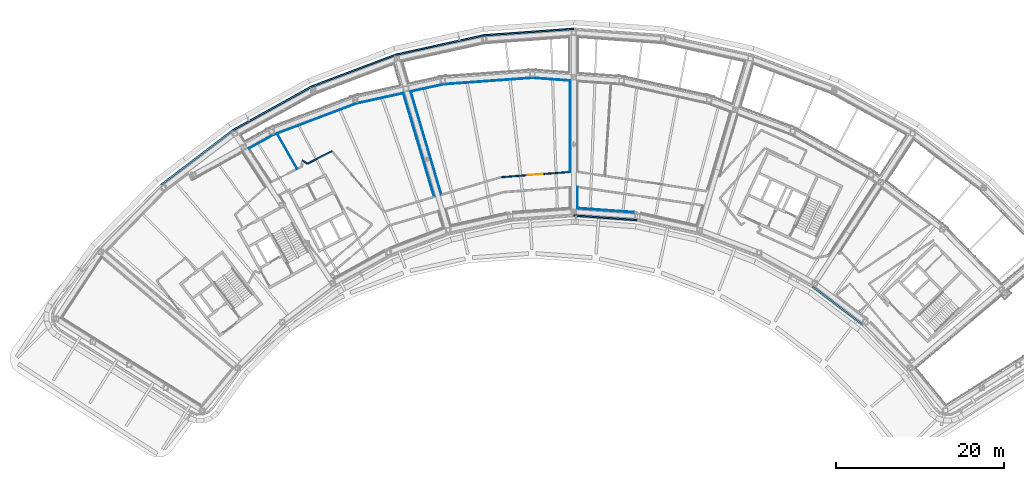
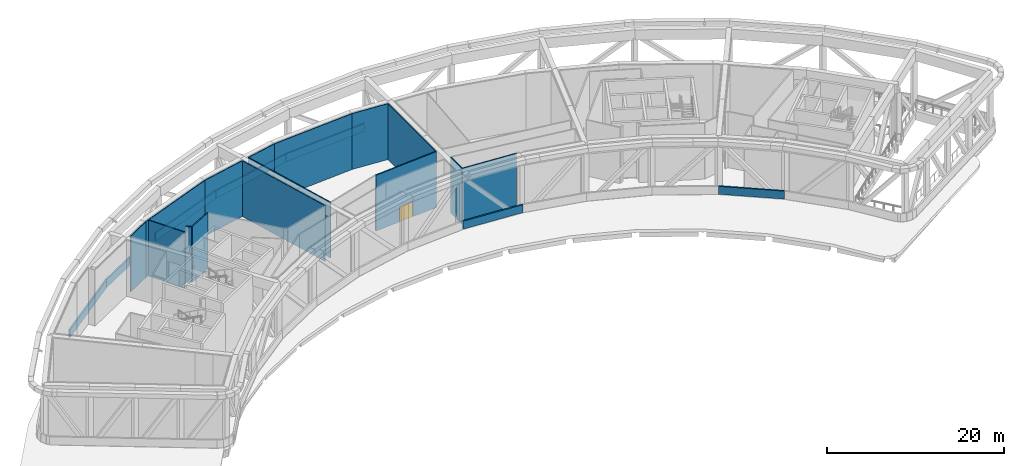
# One storey, part 9 of 27: 22 walls, 1 door, 1 opening.
"""IFC4 building model written with IfcOpenShell, lengths in metres."""

from ifc_helpers import new_model, si_unit, direction, frame, frame_2d, origin, place, context, subcontext, project, spatial, rectangle, extrude, material, layer, layer_set, type_object, element, fill, save


model = new_model("IFC4")

# Units and contexts
model_context = context("Model", 3, precision=1e-05, world=origin(), true_north=direction((0.0, 1.0)))
body_context = subcontext(model_context, "Body", "Model", "MODEL_VIEW")
ifc_project = project(units=[si_unit("LENGTHUNIT", "METRE"), si_unit("AREAUNIT", "SQUARE_METRE"), si_unit("VOLUMEUNIT", "CUBIC_METRE"), si_unit("PLANEANGLEUNIT", "RADIAN"), si_unit("MASSUNIT", "GRAM", prefix="KILO")], contexts=[model_context])

# Site, building, storey
site_placement = place(None, origin())
site = spatial("IfcSite", under=ifc_project, at=site_placement, CompositionType="ELEMENT")
building_placement = place(site_placement, origin())
building = spatial("IfcBuilding", under=site, at=building_placement, Name="Tuul Gate Civic Tower", CompositionType="ELEMENT")
storey_placement = place(building_placement, frame((0.0, 0.0, 201.5)))
storey = spatial("IfcBuildingStorey", under=building, at=storey_placement, Name="Wind floor 1", CompositionType="ELEMENT", Elevation=201.5)

# Wall, opening, door
ifc_material_1 = material(Name="Gypsum board partition")
ifc_layer_1 = layer(ifc_material_1, 0.14990234375)
ifc_layer_set_1 = layer_set([ifc_layer_1], Name="Gypsum board partition")
wall_type_1 = type_object("IfcWallType", Name="Corridor wall P150", PredefinedType="PARTITIONING", material=ifc_layer_set_1)
wall_1_placement = place(storey_placement, frame((-2.770263671875, 1.32568359375, 0.0), z_axis=(0.0, 0.0, 1.0), x_axis=(0.997138650335, 0.075594391385, 0.0)))
wall_1 = element("IfcWall", 1, at=wall_1_placement, inside=storey, type_object=wall_type_1, Name="p032", PredefinedType="PARTITIONING", context=body_context, shape_type="SweptSolid", body=[
    extrude(rectangle(XDim=8.283935546875, YDim=0.14990234375, at=frame_2d((4.14208984375, 0.0))), origin(), (0.0, 0.0, 1.0), 7.699951171875),
])
opening_placement = place(wall_1_placement, frame((3.241943359375, 0.0, 0.0)))
opening = element("IfcOpeningElement", 2, at=opening_placement, cuts=wall_1, Name="Opening AF-D11", PredefinedType="OPENING", context=body_context, shape_type="SweptSolid", body=[
    extrude(rectangle(XDim=1.800048828125, YDim=2.10009765625, at=frame_2d((0.89990234375, 1.050048828125))), frame((0.0, 0.0849609375, 0.0), z_axis=(0.0, -1.0, 0.0), x_axis=(1.0, 0.0, 0.0)), (0.0, 0.0, 1.0), 0.169921875),
])
ifc_material_2 = material(Name="Timber door leaf, double", Category="wood")
door_type = type_object("IfcDoorType", Name="Door D18", OperationType="DOUBLE_DOOR_SINGLE_SWING", PredefinedType="DOOR", material=ifc_material_2)
door_placement = place(opening_placement, origin())
door = element("IfcDoor", 3, at=door_placement, inside=storey, type_object=door_type, Name="Door AF-D11", OperationType="DOUBLE_DOOR_SINGLE_SWING", OverallHeight=2.10009765625, OverallWidth=1.800048828125, PredefinedType="DOOR", context=body_context, shape_type="SweptSolid", body=[
    extrude(rectangle(XDim=1.800048828125, YDim=2.10009765625, at=frame_2d((0.89990234375, 1.050048828125))), frame((0.0, 0.02490234375, 0.0), z_axis=(0.0, -1.0, 0.0), x_axis=(1.0, 0.0, 0.0)), (0.0, 0.0, 1.0), 0.050048828125),
])
fill(opening, door)

# Walls
wall_2_placement = place(storey_placement, frame((-25.823486328125, 2.936279296875, 0.0), z_axis=(0.0, 0.0, 1.0), x_axis=(0.89098130689, 0.454039988076, 0.0)))
element("IfcWall", 4, at=wall_2_placement, inside=storey, type_object=wall_type_1, Name="p038", PredefinedType="PARTITIONING", context=body_context, shape_type="SweptSolid", body=[
    extrude(rectangle(XDim=3.29833984375, YDim=0.14990234375, at=frame_2d((1.649169921875, 0.0))), origin(), (0.0, 0.0, 1.0), 7.699951171875),
])
wall_3_placement = place(storey_placement, frame((-26.414306640625, 3.3203125, 0.0), z_axis=(0.0, 0.0, 1.0), x_axis=(0.850242467649, -0.526391248223, 0.0)))
element("IfcWall", 5, at=wall_3_placement, inside=storey, type_object=wall_type_1, Name="p039", PredefinedType="PARTITIONING", context=body_context, shape_type="SweptSolid", body=[
    extrude(rectangle(XDim=0.688232421875, YDim=0.14990234375, at=frame_2d((0.34423828125, 0.0))), origin(), (0.0, 0.0, 1.0), 7.699951171875),
])
ifc_material_3 = material(Name="Concrete C40/50", Category="concrete")
ifc_layer_2 = layer(ifc_material_3, 0.199951171875)
ifc_layer_set_2 = layer_set([ifc_layer_2], Name="Concrete C40/50")
wall_type_2 = type_object("IfcWallType", Name="Crown parapet", PredefinedType="PARAPET", material=ifc_layer_set_2)
for number, where, z_axis, x_axis, name in (
    (6, (5.93994140625, 19.0166015625, 0.0), (0.0, 0.0, 1.0), (-0.997385033407, -0.072270984055, 0.0), "Parapet"),
    (7, (-4.7744140625, 18.240234375, 0.0), (0.0, 0.0, 1.0), (-0.97657956222, -0.215156591006, 0.0), "Parapet"),
):
    element("IfcWall", number, at=place(storey_placement, frame(where, z_axis=z_axis, x_axis=x_axis)), inside=storey, type_object=wall_type_2, Name=name, PredefinedType="PARAPET", context=body_context, shape_type="SweptSolid", body=[
        extrude(rectangle(XDim=10.742431640625, YDim=0.199951171875, at=frame_2d((5.37109375, 0.0))), origin(), (0.0, 0.0, 1.0), 1.10009765625),
    ])
wall_4_placement = place(storey_placement, frame((-15.26513671875, 15.928955078125, 0.0), z_axis=(0.0, 0.0, 1.0), x_axis=(-0.935342522799, -0.353743360424, 0.0)))
element("IfcWall", 8, at=wall_4_placement, inside=storey, type_object=wall_type_2, Name="Parapet", PredefinedType="PARAPET", context=body_context, shape_type="SweptSolid", body=[
    extrude(rectangle(XDim=10.78857421875, YDim=0.199951171875, at=frame_2d((5.394287109375, 0.0))), origin(), (0.0, 0.0, 1.0), 1.10009765625),
])
wall_5_placement = place(storey_placement, frame((-25.313720703125, 12.128662109375, 0.0), z_axis=(0.0, 0.0, 1.0), x_axis=(-0.874611402149, -0.484824602543, 0.0)))
element("IfcWall", 9, at=wall_5_placement, inside=storey, type_object=wall_type_2, Name="Parapet", PredefinedType="PARAPET", context=body_context, shape_type="SweptSolid", body=[
    extrude(rectangle(XDim=10.7431640625, YDim=0.199951171875, at=frame_2d((5.37158203125, 0.0))), origin(), (0.0, 0.0, 1.0), 1.10009765625),
])
wall_6_placement = place(storey_placement, frame((-34.709716796875, 6.920166015625, 0.0), z_axis=(0.0, 0.0, 1.0), x_axis=(-0.795659138883, -0.605744611789, 0.0)))
element("IfcWall", 10, at=wall_6_placement, inside=storey, type_object=wall_type_2, Name="Parapet", PredefinedType="PARAPET", context=body_context, shape_type="SweptSolid", body=[
    extrude(rectangle(XDim=10.741943359375, YDim=0.199951171875, at=frame_2d((5.37109375, 0.0))), origin(), (0.0, 0.0, 1.0), 1.10009765625),
])
wall_7_placement = place(storey_placement, frame((5.93994140625, -3.24169921875, 0.0), z_axis=(0.0, 0.0, 1.0), x_axis=(0.997389741287, -0.072205982962, 0.0)))
element("IfcWall", 11, at=wall_7_placement, inside=storey, type_object=wall_type_2, Name="Parapet", PredefinedType="PARAPET", context=body_context, shape_type="SweptSolid", body=[
    extrude(rectangle(XDim=7.5263671875, YDim=0.199951171875, at=frame_2d((3.76318359375, 0.0))), origin(), (0.0, 0.0, 1.0), 1.10009765625),
])
wall_8_placement = place(storey_placement, frame((34.419189453125, -11.716064453125, 0.0), z_axis=(0.0, 0.0, 1.0), x_axis=(0.795588056062, -0.605837969305, 0.0)))
element("IfcWall", 12, at=wall_8_placement, inside=storey, type_object=wall_type_2, Name="Parapet", PredefinedType="PARAPET", context=body_context, shape_type="SweptSolid", body=[
    extrude(rectangle(XDim=7.52685546875, YDim=0.199951171875, at=frame_2d((3.763427734375, 0.0))), origin(), (0.0, 0.0, 1.0), 1.10009765625),
])
ifc_material_4 = material(Name="Gypsum board partition")
ifc_layer_3 = layer(ifc_material_4, 0.10009765625)
ifc_layer_set_3 = layer_set([ifc_layer_3], Name="Gypsum board partition")
wall_type_3 = type_object("IfcWallType", Name="Partition P100", PredefinedType="PARTITIONING", material=ifc_layer_set_3)
wall_9_placement = place(storey_placement, frame((-29.421142578125, 6.53564453125, 0.0), z_axis=(0.0, 0.0, 1.0), x_axis=(0.496220323798, -0.868196631098, 0.0)))
element("IfcWall", 13, at=wall_9_placement, inside=storey, type_object=wall_type_3, Name="p035", PredefinedType="PARTITIONING", context=body_context, shape_type="SweptSolid", body=[
    extrude(rectangle(XDim=4.845703125, YDim=0.10009765625, at=frame_2d((2.4228515625, 0.0))), origin(), (0.0, 0.0, 1.0), 7.699951171875),
])
wall_10_placement = place(storey_placement, frame((13.15625, -2.862060546875, 0.0), z_axis=(0.0, 0.0, 1.0), x_axis=(-0.997380470642, 0.072333925527, 0.0)))
element("IfcWall", 14, at=wall_10_placement, inside=storey, type_object=wall_type_3, Name="p073", PredefinedType="PARTITIONING", context=body_context, shape_type="SweptSolid", body=[
    extrude(rectangle(XDim=6.7841796875, YDim=0.10009765625, at=frame_2d((3.39208984375, 0.0))), origin(), (0.0, 0.0, 1.0), 7.699951171875),
])
wall_11_placement = place(storey_placement, frame((6.389892578125, -2.371337890625, 0.0), z_axis=(0.0, 0.0, 1.0), x_axis=(0.0, 1.0, 0.0)))
element("IfcWall", 15, at=wall_11_placement, inside=storey, type_object=wall_type_3, Name="p074", PredefinedType="PARTITIONING", context=body_context, shape_type="SweptSolid", body=[
    extrude(rectangle(XDim=2.541015625, YDim=0.10009765625, at=frame_2d((1.2705078125, 0.0))), origin(), (0.0, 0.0, 1.0), 7.699951171875),
])
wall_12_placement = place(storey_placement, frame((-9.829833984375, -0.7607421875, 0.0), z_axis=(0.0, 0.0, 1.0), x_axis=(-0.28521780908, 0.958462728218, 0.0)))
element("IfcWall", 16, at=wall_12_placement, inside=storey, type_object=wall_type_3, Name="p080", PredefinedType="PARTITIONING", context=body_context, shape_type="SweptSolid", body=[
    extrude(rectangle(XDim=12.832763671875, YDim=0.10009765625, at=frame_2d((6.41650390625, 0.0))), origin(), (0.0, 0.0, 1.0), 7.699951171875),
])
wall_13_placement = place(storey_placement, frame((-13.489990234375, 11.5390625, 0.0), z_axis=(0.0, 0.0, 1.0), x_axis=(0.97656579112, 0.215219087475, 0.0)))
element("IfcWall", 17, at=wall_13_placement, inside=storey, type_object=wall_type_3, Name="p081", PredefinedType="PARTITIONING", context=body_context, shape_type="SweptSolid", body=[
    extrude(rectangle(XDim=3.988525390625, YDim=0.10009765625, at=frame_2d((1.994140625, 0.0))), origin(), (0.0, 0.0, 1.0), 7.699951171875),
])
wall_14_placement = place(storey_placement, frame((-9.594970703125, 12.3974609375, 0.0), z_axis=(0.0, 0.0, 1.0), x_axis=(0.997382704685, 0.072303114698, 0.0)))
element("IfcWall", 18, at=wall_14_placement, inside=storey, type_object=wall_type_3, Name="p082", PredefinedType="PARTITIONING", context=body_context, shape_type="SweptSolid", body=[
    extrude(rectangle(XDim=10.61279296875, YDim=0.10009765625, at=frame_2d((5.306396484375, 0.0))), origin(), (0.0, 0.0, 1.0), 7.699951171875),
])
wall_15_placement = place(storey_placement, frame((0.989990234375, 13.164794921875, 0.0), z_axis=(0.0, 0.0, 1.0), x_axis=(0.997383439062, -0.072292983647, 0.0)))
element("IfcWall", 19, at=wall_15_placement, inside=storey, type_object=wall_type_3, Name="p083", PredefinedType="PARTITIONING", context=body_context, shape_type="SweptSolid", body=[
    extrude(rectangle(XDim=4.51171875, YDim=0.10009765625, at=frame_2d((2.255859375, 0.0))), origin(), (0.0, 0.0, 1.0), 7.699951171875),
])
wall_16_placement = place(storey_placement, frame((5.489990234375, 12.838623046875, 0.0), z_axis=(0.0, 0.0, 1.0), x_axis=(0.0, -1.0, 0.0)))
element("IfcWall", 20, at=wall_16_placement, inside=storey, type_object=wall_type_3, Name="p084", PredefinedType="PARTITIONING", context=body_context, shape_type="SweptSolid", body=[
    extrude(rectangle(XDim=10.88671875, YDim=0.10009765625, at=frame_2d((5.443359375, 0.0))), origin(), (0.0, 0.0, 1.0), 7.699951171875),
])
wall_17_placement = place(storey_placement, frame((-29.88427734375, 6.360595703125, 0.0), z_axis=(0.0, 0.0, 1.0), x_axis=(0.935375548775, 0.353656023213, 0.0)))
element("IfcWall", 21, at=wall_17_placement, inside=storey, type_object=wall_type_3, Name="p085", PredefinedType="PARTITIONING", context=body_context, shape_type="SweptSolid", body=[
    extrude(rectangle(XDim=10.61181640625, YDim=0.10009765625, at=frame_2d((5.305908203125, 0.0))), origin(), (0.0, 0.0, 1.0), 7.699951171875),
])
wall_18_placement = place(storey_placement, frame((-19.958251953125, 10.113525390625, 0.0), z_axis=(0.0, 0.0, 1.0), x_axis=(0.976561115954, 0.215240300147, 0.0)))
element("IfcWall", 22, at=wall_18_placement, inside=storey, type_object=wall_type_3, Name="p086", PredefinedType="PARTITIONING", context=body_context, shape_type="SweptSolid", body=[
    extrude(rectangle(XDim=5.72119140625, YDim=0.10009765625, at=frame_2d((2.860595703125, 0.0))), origin(), (0.0, 0.0, 1.0), 7.699951171875),
])
wall_19_placement = place(storey_placement, frame((-14.37109375, 11.344970703125, 0.0), z_axis=(0.0, 0.0, 1.0), x_axis=(0.285193555679, -0.958469945173, 0.0)))
element("IfcWall", 23, at=wall_19_placement, inside=storey, type_object=wall_type_3, Name="p087", PredefinedType="PARTITIONING", context=body_context, shape_type="SweptSolid", body=[
    extrude(rectangle(XDim=12.896484375, YDim=0.10009765625, at=frame_2d((6.4482421875, 0.0))), origin(), (0.0, 0.0, 1.0), 7.699951171875),
])
wall_20_placement = place(storey_placement, frame((-32.763916015625, 4.76416015625, 0.0), z_axis=(0.0, 0.0, 1.0), x_axis=(0.874590630808, 0.484862071628, 0.0)))
element("IfcWall", 24, at=wall_20_placement, inside=storey, type_object=wall_type_3, Name="p089", PredefinedType="PARTITIONING", context=body_context, shape_type="SweptSolid", body=[
    extrude(rectangle(XDim=3.29248046875, YDim=0.10009765625, at=frame_2d((1.646240234375, 0.0))), origin(), (0.0, 0.0, 1.0), 7.699951171875),
])

save(model, "model.ifc")
